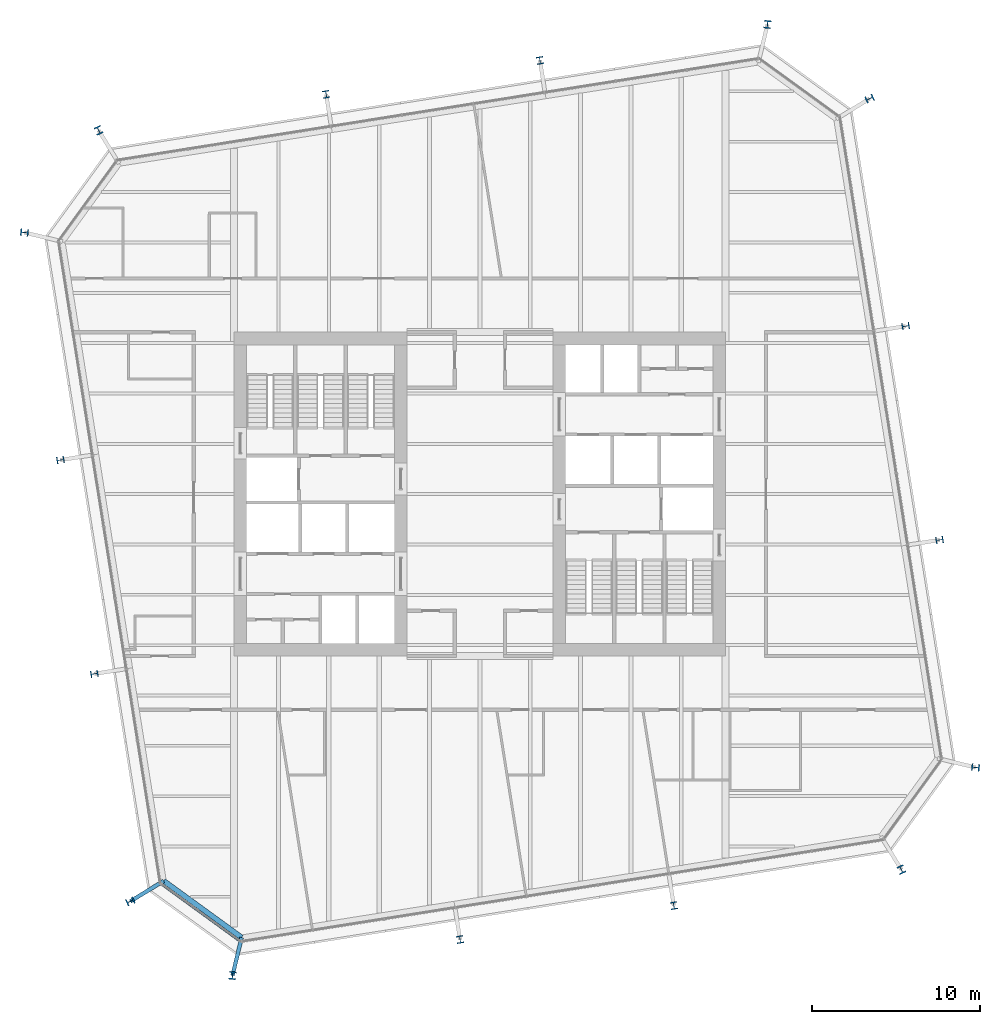
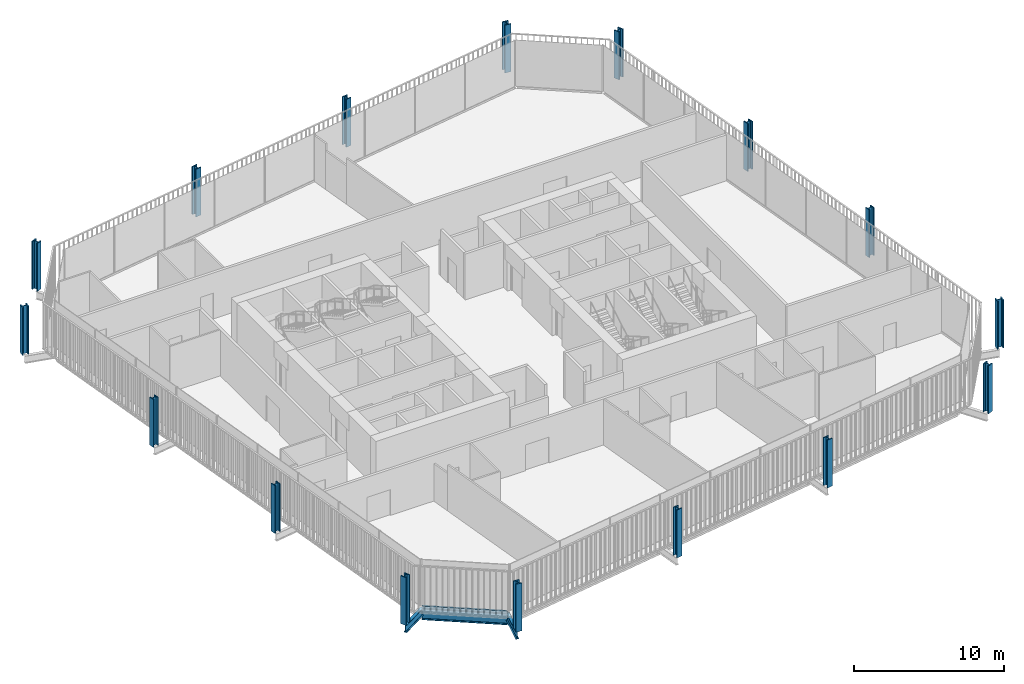
# One storey, part 1 of 21: 16 columns, 3 beams, 1 member, 1 element without a shape of its own.
"""IFC4 building model written with IfcOpenShell, lengths in metres."""

from ifc_helpers import new_model, si_unit, direction, frame, origin, origin_2d, place, context, subcontext, project, spatial, rectangle, i_section, extrude, material, layer, layer_set, material_profile, profile_set, type_object, element, aggregate, save


model = new_model("IFC4")

# Units and contexts
model_context = context("Model", 3, precision=1e-05, world=origin(), true_north=direction((0.0, 1.0)))
body_context = subcontext(model_context, "Body", "Model", "MODEL_VIEW")
ifc_project = project(units=[si_unit("LENGTHUNIT", "METRE"), si_unit("AREAUNIT", "SQUARE_METRE"), si_unit("VOLUMEUNIT", "CUBIC_METRE"), si_unit("PLANEANGLEUNIT", "RADIAN"), si_unit("MASSUNIT", "GRAM", prefix="KILO")], contexts=[model_context])

# Site, building, storey
site_placement = place(None, origin())
site = spatial("IfcSite", under=ifc_project, at=site_placement, CompositionType="ELEMENT")
building_placement = place(site_placement, origin())
building = spatial("IfcBuilding", under=site, at=building_placement, Name="Millrace Tower", CompositionType="ELEMENT")
storey_placement = place(building_placement, frame((0.0, 0.0, 164.60009765625)))
storey = spatial("IfcBuildingStorey", under=building, at=storey_placement, Name="L37", CompositionType="ELEMENT", Elevation=164.60009765625)

# Columns
ifc_material_1 = material(Name="Steel ASTM A913 Grade 65", Category="steel")
ifc_material_profile_1 = material_profile(ifc_material_1, i_section(OverallWidth=0.419189453125, OverallDepth=0.45458984375, WebThickness=0.042236328125, FlangeThickness=0.067626953125, FilletRadius=0.01513671875, at=origin_2d()))
ifc_profile_set_1 = profile_set([ifc_material_profile_1], Name="Steel ASTM A913 Grade 65")
column_type_1 = type_object("IfcColumnType", Name="Exoskeleton column W14x370", PredefinedType="COLUMN", material=ifc_profile_set_1)
for number, where, z_axis, x_axis, name in (
    (1, (-1.181396484375, -26.545166015625, 0.0), (0.0, 0.0, 1.0), (0.987688339156, 0.156434474125, 0.0), "COL-C-L37-X03"),
    (2, (11.5595703125, -24.527099609375, 0.0), (0.0, 0.0, 1.0), (0.987688338239, 0.156434479917, 0.0), "COL-C-L37-X04"),
    (3, (27.39501953125, -2.7314453125, 0.0), (0.0, 0.0, 1.0), (-0.156434474125, 0.987688339156, 0.0), "COL-C-L37-X07"),
    (4, (25.376953125, 10.009765625, 0.0), (0.0, 0.0, 1.0), (-0.156434479917, 0.987688338239, 0.0), "COL-C-L37-X08"),
    (5, (3.58154296875, 25.844970703125, 0.0), (0.0, 0.0, 1.0), (-0.987688339156, -0.156434474125, 0.0), "COL-C-L37-X11"),
    (6, (-9.15966796875, 23.8271484375, 0.0), (0.0, 0.0, 1.0), (-0.987688338239, -0.156434479917, 0.0), "COL-C-L37-X12"),
    (7, (-24.9951171875, 2.031494140625, 0.0), (0.0, 0.0, 1.0), (0.156434474125, -0.987688339156, 0.0), "COL-C-L37-X15"),
    (8, (-22.97705078125, -10.709716796875, 0.0), (0.0, 0.0, 1.0), (0.156434479917, -0.987688338239, 0.0), "COL-C-L37-X16"),
):
    element("IfcColumn", number, at=place(storey_placement, frame(where, z_axis=z_axis, x_axis=x_axis)), inside=storey, type_object=column_type_1, Name=name, PredefinedType="COLUMN", context=body_context, shape_type="SweptSolid", body=[
        extrude(i_section(OverallWidth=0.419189453125, OverallDepth=0.45458984375, WebThickness=0.042236328125, FlangeThickness=0.067626953125, FilletRadius=0.01513671875, at=origin_2d()), origin(), (0.0, 0.0, 1.0), 3.89990234375),
    ])
ifc_material_2 = material(Name="Steel ASTM A913 Grade 65", Category="steel")
ifc_material_profile_2 = material_profile(ifc_material_2, i_section(OverallWidth=0.4267578125, OverallDepth=0.482666015625, WebThickness=0.05126953125, FlangeThickness=0.08154296875, FilletRadius=0.01513671875, at=origin_2d()))
ifc_profile_set_2 = profile_set([ifc_material_profile_2], Name="Steel ASTM A913 Grade 65")
column_type_2 = type_object("IfcColumnType", Name="Exoskeleton column W14x455", PredefinedType="COLUMN", material=ifc_profile_set_2)
for number, where, z_axis, x_axis, name in (
    (9, (-20.829345703125, -24.26904296875, 0.0), (0.0, 0.0, 1.0), (0.416401106568, -0.909181015227, 0.0), "COL-C-L37-X01"),
    (10, (-14.740966796875, -28.692626953125, 0.0), (0.0, 0.0, 1.0), (0.993357548409, -0.115068592665, 0.0), "COL-C-L37-X02"),
    (11, (25.119140625, -22.37939453125, 0.0), (0.0, 0.0, 1.0), (0.909181015227, 0.416401106568, 0.0), "COL-C-L37-X05"),
    (12, (29.542724609375, -16.291015625, 0.0), (0.0, 0.0, 1.0), (0.115068592665, 0.993357548409, 0.0), "COL-C-L37-X06"),
    (13, (23.2294921875, 23.569091796875, 0.0), (0.0, 0.0, 1.0), (-0.416401106568, 0.909181015227, 0.0), "COL-C-L37-X09"),
    (14, (17.140869140625, 27.99267578125, 0.0), (0.0, 0.0, 1.0), (-0.993357548409, 0.115068592665, 0.0), "COL-C-L37-X10"),
    (15, (-22.718994140625, 21.679443359375, 0.0), (0.0, 0.0, 1.0), (-0.909181015227, -0.416401106568, 0.0), "COL-C-L37-X13"),
    (16, (-27.142578125, 15.5908203125, 0.0), (0.0, 0.0, 1.0), (-0.115068592665, -0.993357548409, 0.0), "COL-C-L37-X14"),
):
    element("IfcColumn", number, at=place(storey_placement, frame(where, z_axis=z_axis, x_axis=x_axis)), inside=storey, type_object=column_type_2, Name=name, PredefinedType="COLUMN", context=body_context, shape_type="SweptSolid", body=[
        extrude(i_section(OverallWidth=0.4267578125, OverallDepth=0.482666015625, WebThickness=0.05126953125, FlangeThickness=0.08154296875, FilletRadius=0.01513671875, at=origin_2d()), origin(), (0.0, 0.0, 1.0), 3.89990234375),
    ])

# Curtain wall, member
ifc_material_3 = material(Name="Aluminium and glass", Category="aluminium")
ifc_layer = layer(ifc_material_3, 0.14990234375)
ifc_layer_set = layer_set([ifc_layer], Name="Aluminium and glass")
curtain_wall_type = type_object("IfcCurtainWallType", Name="CW-1 office vision curtain wall", PredefinedType="NOTDEFINED", material=ifc_layer_set)
curtain_wall_placement = place(storey_placement, origin())
curtain_wall = element("IfcCurtainWall", 17, at=curtain_wall_placement, inside=storey, type_object=curtain_wall_type, Name="Curtain wall C-F01 L37", PredefinedType="NOTDEFINED")
ifc_material_4 = material(Name="Aluminium", Category="aluminium")
ifc_material_profile_3 = material_profile(ifc_material_4, rectangle(XDim=0.14990234375, YDim=0.139892578125, at=origin_2d()))
ifc_profile_set_3 = profile_set([ifc_material_profile_3], Name="Aluminium")
member_type = type_object("IfcMemberType", Name="CW-1 office vision curtain wall transom", PredefinedType="USERDEFINED", material=ifc_profile_set_3)
member_placement = place(storey_placement, frame((-18.94677734375, -23.25732421875, 0.06982421875), z_axis=(0.808998591139, -0.587810581339, 0.0), x_axis=(0.587810581339, 0.808998591139, 0.0)))
member = element("IfcMember", 18, at=member_placement, type_object=member_type, Name="CW1 transom C-F01.1", ObjectType="TRANSOM", PredefinedType="USERDEFINED", context=body_context, shape_type="SweptSolid", body=[
    extrude(rectangle(XDim=0.14990234375, YDim=0.139892578125, at=origin_2d()), origin(), (0.0, 0.0, 1.0), 5.6689453125),
])
aggregate(curtain_wall, [member])

# Beams
ifc_material_5 = material(Name="Steel ASTM A992 Grade 50", Category="steel")
ifc_material_profile_4 = material_profile(ifc_material_5, i_section(OverallWidth=0.23046875, OverallDepth=0.6171875, WebThickness=0.01318359375, FlangeThickness=0.022216796875, FilletRadius=0.012939453125, at=origin_2d()))
ifc_profile_set_4 = profile_set([ifc_material_profile_4], Name="Steel ASTM A992 Grade 50")
beam_type_1 = type_object("IfcBeamType", Name="Link beam W24x94", PredefinedType="BEAM", material=ifc_profile_set_4)
for number, where, z_axis, x_axis, name in (
    (19, (-18.841796875, -23.051025390625, -0.46875), (-0.852631355792, -0.522512938711, 0.0), (0.522512938711, -0.852631355792, 0.0), "LNK-C-L37-S1-01"),
    (20, (-14.19677734375, -26.426025390625, -0.46875), (-0.233456138164, -0.972367333652, 0.0), (0.972367333652, -0.233456138164, 0.0), "LNK-C-L37-S1-16"),
):
    element("IfcBeam", number, at=place(storey_placement, frame(where, z_axis=z_axis, x_axis=x_axis)), inside=storey, type_object=beam_type_1, Name=name, PredefinedType="BEAM", context=body_context, shape_type="SweptSolid", body=[
        extrude(i_section(OverallWidth=0.23046875, OverallDepth=0.6171875, WebThickness=0.01318359375, FlangeThickness=0.022216796875, FilletRadius=0.012939453125, at=origin_2d()), origin(), (0.0, 0.0, 1.0), 2.3310546875),
    ])
ifc_material_6 = material(Name="Steel ASTM A992 Grade 50", Category="steel")
ifc_material_profile_5 = material_profile(ifc_material_6, i_section(OverallWidth=0.307373046875, OverallDepth=0.927001953125, WebThickness=0.01953125, FlangeThickness=0.031982421875, FilletRadius=0.01904296875, at=origin_2d()))
ifc_profile_set_5 = profile_set([ifc_material_profile_5], Name="Steel ASTM A992 Grade 50")
beam_type_2 = type_object("IfcBeamType", Name="Ring beam short span W36x194", PredefinedType="SPANDREL", material=ifc_profile_set_5)
beam_placement = place(storey_placement, frame((-14.19677734375, -26.426025390625, -0.62353515625), z_axis=(-0.80900078054, 0.587807568074, 0.0), x_axis=(-0.587807568074, -0.80900078054, 0.0)))
element("IfcBeam", 21, at=beam_placement, inside=storey, type_object=beam_type_2, Name="RNG-C-L37-S1-16", PredefinedType="SPANDREL", context=body_context, shape_type="SweptSolid", body=[
    extrude(i_section(OverallWidth=0.307373046875, OverallDepth=0.927001953125, WebThickness=0.01953125, FlangeThickness=0.031982421875, FilletRadius=0.01904296875, at=origin_2d()), origin(), (0.0, 0.0, 1.0), 5.74169921875),
])

save(model, "model.ifc")
